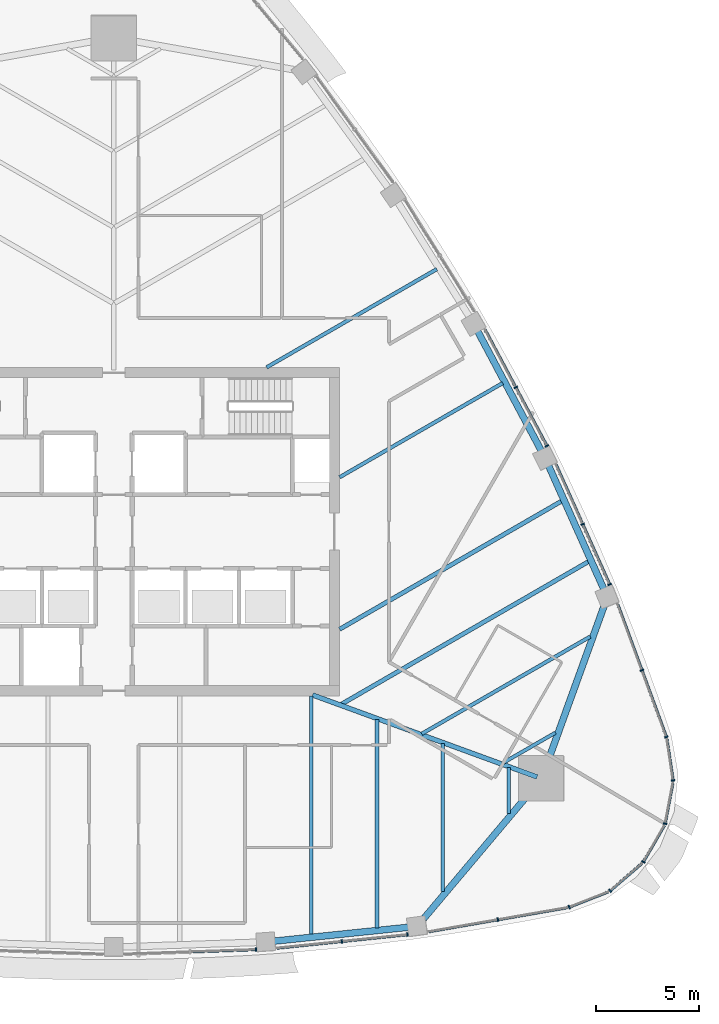
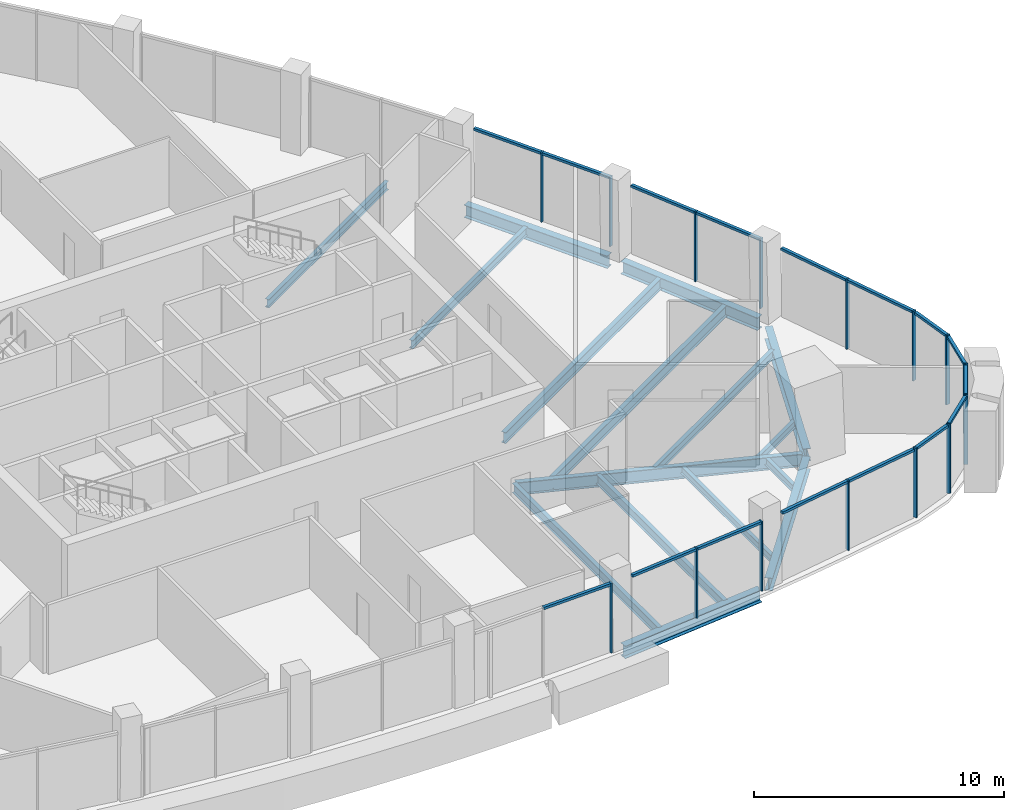
# One storey, part 4 of 15: 31 members, 16 beams, 11 elements without a shape of their own.
"""IFC4 building model written with IfcOpenShell, lengths in metres."""

from ifc_helpers import new_model, si_unit, direction, frame, origin, origin_2d, place, context, subcontext, project, spatial, rectangle, i_section, extrude, material, layer, layer_set, material_profile, profile_set, type_object, element, aggregate, save


model = new_model("IFC4")

# Units and contexts
model_context = context("Model", 3, precision=1e-05, world=origin(), true_north=direction((0.0, 1.0)))
body_context = subcontext(model_context, "Body", "Model", "MODEL_VIEW")
ifc_project = project(units=[si_unit("LENGTHUNIT", "METRE"), si_unit("AREAUNIT", "SQUARE_METRE"), si_unit("VOLUMEUNIT", "CUBIC_METRE"), si_unit("PLANEANGLEUNIT", "RADIAN"), si_unit("MASSUNIT", "GRAM", prefix="KILO")], contexts=[model_context])

# Site, building, storey
site_placement = place(None, origin())
site = spatial("IfcSite", under=ifc_project, at=site_placement, CompositionType="ELEMENT")
building_placement = place(site_placement, origin())
building = spatial("IfcBuilding", under=site, at=building_placement, Name="Sierra Prisma Convention Tower", CompositionType="ELEMENT")
storey_placement = place(building_placement, frame((0.0, 0.0, 283.0)))
storey = spatial("IfcBuildingStorey", under=building, at=storey_placement, Name="L64", CompositionType="ELEMENT", Elevation=283.0)

# Curtain wall, member
ifc_material_1 = material(Name="Aluminium and glass curtain wall", Category="aluminium")
ifc_layer = layer(ifc_material_1, 0.179931640625)
ifc_layer_set = layer_set([ifc_layer], Name="CW-1 Plain shaft curtain wall")
curtain_wall_type = type_object("IfcCurtainWallType", Name="CW-1 Plain shaft curtain wall", PredefinedType="NOTDEFINED", material=ifc_layer_set)
curtain_wall_1_placement = place(storey_placement, origin())
curtain_wall_1 = element("IfcCurtainWall", 1, at=curtain_wall_1_placement, inside=storey, type_object=curtain_wall_type, Name="CW-1 S4 L64", PredefinedType="NOTDEFINED")
ifc_material_2 = material(Name="Aluminium 6063-T6 bronze anodised", Category="aluminium")
ifc_material_profile_1 = material_profile(ifc_material_2, rectangle(XDim=0.179931640625, YDim=0.070068359375, at=origin_2d()), Name="ALU MULLION 70x180")
ifc_profile_set_1 = profile_set([ifc_material_profile_1], Name="Aluminium 6063-T6 bronze anodised")
member_type_1 = type_object("IfcMemberType", Name="CW mullion bronze", PredefinedType="MULLION", material=ifc_profile_set_1)
member_1_placement = place(storey_placement, frame((6.935302734375, -20.360107421875, 0.0), z_axis=(0.0, 0.0, 1.0), x_axis=(-0.034364022311, 0.999409382571, 0.0)))
member_1 = element("IfcMember", 2, at=member_1_placement, type_object=member_type_1, Name="CW-1 mullion S4.3", PredefinedType="MULLION", context=body_context, shape_type="SweptSolid", body=[
    extrude(rectangle(XDim=0.179931640625, YDim=0.070068359375, at=origin_2d()), origin(), (0.0, 0.0, 1.0), 3.39990234375),
])

# Curtain wall, members
curtain_wall_2_placement = place(storey_placement, origin())
curtain_wall_2 = element("IfcCurtainWall", 3, at=curtain_wall_2_placement, inside=storey, type_object=curtain_wall_type, Name="CW-1 S5 L64", PredefinedType="NOTDEFINED")
member_2_placement = place(storey_placement, frame((11.10888671875, -19.962646484375, 0.0), z_axis=(0.0, 0.0, 1.0), x_axis=(-0.102929746941, 0.994688628262, 0.0)))
member_2 = element("IfcMember", 4, at=member_2_placement, type_object=member_type_1, Name="CW-1 mullion S5.2", PredefinedType="MULLION", context=body_context, shape_type="SweptSolid", body=[
    extrude(rectangle(XDim=0.179931640625, YDim=0.070068359375, at=origin_2d()), origin(), (0.0, 0.0, 1.0), 3.39990234375),
])
member_3_placement = place(storey_placement, frame((14.30322265625, -19.632080078125, 0.0), z_axis=(0.0, 0.0, 1.0), x_axis=(-0.102929746941, 0.994688628262, 0.0)))
member_3 = element("IfcMember", 5, at=member_3_placement, type_object=member_type_1, Name="CW-1 mullion S5.3", PredefinedType="MULLION", context=body_context, shape_type="SweptSolid", body=[
    extrude(rectangle(XDim=0.179931640625, YDim=0.070068359375, at=origin_2d()), origin(), (0.0, 0.0, 1.0), 3.39990234375),
])

# Curtain wall, member
curtain_wall_3_placement = place(storey_placement, origin())
curtain_wall_3 = element("IfcCurtainWall", 6, at=curtain_wall_3_placement, inside=storey, type_object=curtain_wall_type, Name="CW-1 S6 L64", PredefinedType="NOTDEFINED")
member_4_placement = place(storey_placement, frame((18.71435546875, -18.9033203125, 0.0), z_axis=(0.0, 0.0, 1.0), x_axis=(-0.171009278371, 0.985269418337, 0.0)))
member_4 = element("IfcMember", 7, at=member_4_placement, type_object=member_type_1, Name="CW-1 mullion S6.2", PredefinedType="MULLION", context=body_context, shape_type="SweptSolid", body=[
    extrude(rectangle(XDim=0.179931640625, YDim=0.070068359375, at=origin_2d()), origin(), (0.0, 0.0, 1.0), 3.39990234375),
])

curtain_wall_4_placement = place(storey_placement, origin())
curtain_wall_4 = element("IfcCurtainWall", 8, at=curtain_wall_4_placement, inside=storey, type_object=curtain_wall_type, Name="CW-1 SE1 L64", PredefinedType="NOTDEFINED")
member_5_placement = place(storey_placement, frame((22.18896484375, -18.29296875, 0.0), z_axis=(0.0, 0.0, 1.0), x_axis=(-0.365732120249, 0.930720159994, 0.0)))
member_5 = element("IfcMember", 9, at=member_5_placement, type_object=member_type_1, Name="CW-1 mullion SE1.1", PredefinedType="MULLION", context=body_context, shape_type="SweptSolid", body=[
    extrude(rectangle(XDim=0.179931640625, YDim=0.070068359375, at=origin_2d()), origin(), (0.0, 0.0, 1.0), 3.39990234375),
])

curtain_wall_5_placement = place(storey_placement, origin())
curtain_wall_5 = element("IfcCurtainWall", 10, at=curtain_wall_5_placement, inside=storey, type_object=curtain_wall_type, Name="CW-1 SE2 L64", PredefinedType="NOTDEFINED")
member_6_placement = place(storey_placement, frame((24.179443359375, -17.49853515625, 0.0), z_axis=(0.0, 0.0, 1.0), x_axis=(-0.652446636561, 0.757834669595, 0.0)))
member_6 = element("IfcMember", 11, at=member_6_placement, type_object=member_type_1, Name="CW-1 mullion SE2.1", PredefinedType="MULLION", context=body_context, shape_type="SweptSolid", body=[
    extrude(rectangle(XDim=0.179931640625, YDim=0.070068359375, at=origin_2d()), origin(), (0.0, 0.0, 1.0), 3.39990234375),
])

curtain_wall_6_placement = place(storey_placement, origin())
curtain_wall_6 = element("IfcCurtainWall", 12, at=curtain_wall_6_placement, inside=storey, type_object=curtain_wall_type, Name="CW-1 SE3 L64", PredefinedType="NOTDEFINED")
member_7_placement = place(storey_placement, frame((25.7958984375, -16.09130859375, 0.0), z_axis=(0.0, 0.0, 1.0), x_axis=(-0.866025403784, 0.5, 0.0)))
member_7 = element("IfcMember", 13, at=member_7_placement, type_object=member_type_1, Name="CW-1 mullion SE3.1", PredefinedType="MULLION", context=body_context, shape_type="SweptSolid", body=[
    extrude(rectangle(XDim=0.179931640625, YDim=0.070068359375, at=origin_2d()), origin(), (0.0, 0.0, 1.0), 3.39990234375),
])

curtain_wall_7_placement = place(storey_placement, origin())
curtain_wall_7 = element("IfcCurtainWall", 14, at=curtain_wall_7_placement, inside=storey, type_object=curtain_wall_type, Name="CW-1 SE4 L64", PredefinedType="NOTDEFINED")
member_8_placement = place(storey_placement, frame((26.857666015625, -14.2294921875, 0.0), z_axis=(0.0, 0.0, 1.0), x_axis=(-0.982527394019, 0.186118027077, 0.0)))
member_8 = element("IfcMember", 15, at=member_8_placement, type_object=member_type_1, Name="CW-1 mullion SE4.1", PredefinedType="MULLION", context=body_context, shape_type="SweptSolid", body=[
    extrude(rectangle(XDim=0.179931640625, YDim=0.070068359375, at=origin_2d()), origin(), (0.0, 0.0, 1.0), 3.39990234375),
])

curtain_wall_8_placement = place(storey_placement, origin())
curtain_wall_8 = element("IfcCurtainWall", 16, at=curtain_wall_8_placement, inside=storey, type_object=curtain_wall_type, Name="CW-1 SE5 L64", PredefinedType="NOTDEFINED")
member_9_placement = place(storey_placement, frame((27.2451171875, -12.12158203125, 0.0), z_axis=(0.0, 0.0, 1.0), x_axis=(-0.988893362493, -0.148626772882, 0.0)))
member_9 = element("IfcMember", 17, at=member_9_placement, type_object=member_type_1, Name="CW-1 mullion SE5.1", PredefinedType="MULLION", context=body_context, shape_type="SweptSolid", body=[
    extrude(rectangle(XDim=0.179931640625, YDim=0.070068359375, at=origin_2d()), origin(), (0.0, 0.0, 1.0), 3.39990234375),
])

# Curtain wall, members
curtain_wall_9_placement = place(storey_placement, origin())
curtain_wall_9 = element("IfcCurtainWall", 18, at=curtain_wall_9_placement, inside=storey, type_object=curtain_wall_type, Name="CW-1 NE1 L64", PredefinedType="NOTDEFINED")
member_10_placement = place(storey_placement, frame((26.91943359375, -10.002197265625, 0.0), z_axis=(0.0, 0.0, 1.0), x_axis=(-0.938772985038, -0.344536329817, 0.0)))
member_10 = element("IfcMember", 19, at=member_10_placement, type_object=member_type_1, Name="CW-1 mullion NE1.1", PredefinedType="MULLION", context=body_context, shape_type="SweptSolid", body=[
    extrude(rectangle(XDim=0.179931640625, YDim=0.070068359375, at=origin_2d()), origin(), (0.0, 0.0, 1.0), 3.39990234375),
])
member_11_placement = place(storey_placement, frame((25.72802734375, -6.755615234375, 0.0), z_axis=(0.0, 0.0, 1.0), x_axis=(-0.938772985038, -0.344536329817, 0.0)))
member_11 = element("IfcMember", 20, at=member_11_placement, type_object=member_type_1, Name="CW-1 mullion NE1.2", PredefinedType="MULLION", context=body_context, shape_type="SweptSolid", body=[
    extrude(rectangle(XDim=0.179931640625, YDim=0.070068359375, at=origin_2d()), origin(), (0.0, 0.0, 1.0), 3.39990234375),
])

curtain_wall_10_placement = place(storey_placement, origin())
curtain_wall_10 = element("IfcCurtainWall", 21, at=curtain_wall_10_placement, inside=storey, type_object=curtain_wall_type, Name="CW-1 NE2 L64", PredefinedType="NOTDEFINED")
member_12_placement = place(storey_placement, frame((24.153564453125, -2.5712890625, 0.0), z_axis=(0.0, 0.0, 1.0), x_axis=(-0.912890494401, -0.408204538475, 0.0)))
member_12 = element("IfcMember", 22, at=member_12_placement, type_object=member_type_1, Name="CW-1 mullion NE2.1", PredefinedType="MULLION", context=body_context, shape_type="SweptSolid", body=[
    extrude(rectangle(XDim=0.179931640625, YDim=0.070068359375, at=origin_2d()), origin(), (0.0, 0.0, 1.0), 3.39990234375),
])
member_13_placement = place(storey_placement, frame((22.842529296875, 0.360595703125, 0.0), z_axis=(0.0, 0.0, 1.0), x_axis=(-0.912890494401, -0.408204538475, 0.0)))
member_13 = element("IfcMember", 23, at=member_13_placement, type_object=member_type_1, Name="CW-1 mullion NE2.2", PredefinedType="MULLION", context=body_context, shape_type="SweptSolid", body=[
    extrude(rectangle(XDim=0.179931640625, YDim=0.070068359375, at=origin_2d()), origin(), (0.0, 0.0, 1.0), 3.39990234375),
])

curtain_wall_11_placement = place(storey_placement, origin())
curtain_wall_11 = element("IfcCurtainWall", 24, at=curtain_wall_11_placement, inside=storey, type_object=curtain_wall_type, Name="CW-1 NE3 L64", PredefinedType="NOTDEFINED")
member_14_placement = place(storey_placement, frame((21.10009765625, 4.173828125, 0.0), z_axis=(0.0, 0.0, 1.0), x_axis=(-0.882695925243, -0.469944574988, 0.0)))
member_14 = element("IfcMember", 25, at=member_14_placement, type_object=member_type_1, Name="CW-1 mullion NE3.1", PredefinedType="MULLION", context=body_context, shape_type="SweptSolid", body=[
    extrude(rectangle(XDim=0.179931640625, YDim=0.070068359375, at=origin_2d()), origin(), (0.0, 0.0, 1.0), 3.39990234375),
])
member_15_placement = place(storey_placement, frame((19.58349609375, 7.0224609375, 0.0), z_axis=(0.0, 0.0, 1.0), x_axis=(-0.882695925243, -0.469944574988, 0.0)))
member_15 = element("IfcMember", 26, at=member_15_placement, type_object=member_type_1, Name="CW-1 mullion NE3.2", PredefinedType="MULLION", context=body_context, shape_type="SweptSolid", body=[
    extrude(rectangle(XDim=0.179931640625, YDim=0.070068359375, at=origin_2d()), origin(), (0.0, 0.0, 1.0), 3.39990234375),
])

# Member
ifc_material_3 = material(Name="Aluminium 6063-T6 bronze anodised", Category="aluminium")
ifc_material_profile_2 = material_profile(ifc_material_3, rectangle(XDim=0.139892578125, YDim=0.1201171875, at=origin_2d()), Name="ALU TRANSOM 120x140")
ifc_profile_set_2 = profile_set([ifc_material_profile_2], Name="Aluminium 6063-T6 bronze anodised")
member_type_2 = type_object("IfcMemberType", Name="CW transom bronze", PredefinedType="USERDEFINED", material=ifc_profile_set_2)
member_16_placement = place(storey_placement, frame((3.744873046875, -20.4697265625, 3.340087890625), z_axis=(0.999410490677, 0.034331780105, 0.0), x_axis=(-0.034331780105, 0.999410490677, 0.0)))
member_16 = element("IfcMember", 27, at=member_16_placement, type_object=member_type_2, Name="CW-1 transom S4.2", ObjectType="TRANSOM", PredefinedType="USERDEFINED", context=body_context, shape_type="SweptSolid", body=[
    extrude(rectangle(XDim=0.139892578125, YDim=0.1201171875, at=origin_2d()), origin(), (0.0, 0.0, 1.0), 3.157470703125),
])

aggregate(curtain_wall_1, [member_1, member_16])

member_17_placement = place(storey_placement, frame((7.949462890625, -20.28955078125, 3.340087890625), z_axis=(0.994684110909, 0.102973392215, 0.0), x_axis=(-0.102973392215, 0.994684110909, 0.0)))
member_17 = element("IfcMember", 28, at=member_17_placement, type_object=member_type_2, Name="CW-1 transom S5.1", ObjectType="TRANSOM", PredefinedType="USERDEFINED", context=body_context, shape_type="SweptSolid", body=[
    extrude(rectangle(XDim=0.139892578125, YDim=0.1201171875, at=origin_2d()), origin(), (0.0, 0.0, 1.0), 3.141357421875),
])

member_18_placement = place(storey_placement, frame((11.143798828125, -19.958984375, 3.340087890625), z_axis=(0.994683286753, 0.102981352942, 0.0), x_axis=(-0.102981352942, 0.994683286753, 0.0)))
member_18 = element("IfcMember", 29, at=member_18_placement, type_object=member_type_2, Name="CW-1 transom S5.2", ObjectType="TRANSOM", PredefinedType="USERDEFINED", context=body_context, shape_type="SweptSolid", body=[
    extrude(rectangle(XDim=0.139892578125, YDim=0.1201171875, at=origin_2d()), origin(), (0.0, 0.0, 1.0), 3.14111328125),
])

aggregate(curtain_wall_2, [member_2, member_3, member_17, member_18])

member_19_placement = place(storey_placement, frame((15.341552734375, -19.48876953125, 3.340087890625), z_axis=(0.985261423754, 0.171055332748, 0.0), x_axis=(-0.171055332748, 0.985261423754, 0.0)))
member_19 = element("IfcMember", 30, at=member_19_placement, type_object=member_type_2, Name="CW-1 transom S6.1", ObjectType="TRANSOM", PredefinedType="USERDEFINED", context=body_context, shape_type="SweptSolid", body=[
    extrude(rectangle(XDim=0.139892578125, YDim=0.1201171875, at=origin_2d()), origin(), (0.0, 0.0, 1.0), 3.388427734375),
])

member_20_placement = place(storey_placement, frame((18.7490234375, -18.897216796875, 3.340087890625), z_axis=(0.985273564925, 0.170985386103, 0.0), x_axis=(-0.170985386103, 0.985273564925, 0.0)))
member_20 = element("IfcMember", 31, at=member_20_placement, type_object=member_type_2, Name="CW-1 transom S6.2", ObjectType="TRANSOM", PredefinedType="USERDEFINED", context=body_context, shape_type="SweptSolid", body=[
    extrude(rectangle(XDim=0.139892578125, YDim=0.1201171875, at=origin_2d()), origin(), (0.0, 0.0, 1.0), 3.38818359375),
])

aggregate(curtain_wall_3, [member_4, member_19, member_20])

member_21_placement = place(storey_placement, frame((22.221435546875, -18.2802734375, 3.340087890625), z_axis=(0.930710049743, 0.36575784791, 0.0), x_axis=(-0.36575784791, 0.930710049743, 0.0)))
member_21 = element("IfcMember", 32, at=member_21_placement, type_object=member_type_2, Name="CW-1 transom SE1.1", ObjectType="TRANSOM", PredefinedType="USERDEFINED", context=body_context, shape_type="SweptSolid", body=[
    extrude(rectangle(XDim=0.139892578125, YDim=0.1201171875, at=origin_2d()), origin(), (0.0, 0.0, 1.0), 2.005126953125),
])

aggregate(curtain_wall_4, [member_5, member_21])

member_22_placement = place(storey_placement, frame((24.205810546875, -17.4755859375, 3.340087890625), z_axis=(0.757862451273, 0.65241436599, 0.0), x_axis=(-0.65241436599, 0.757862451273, 0.0)))
member_22 = element("IfcMember", 33, at=member_22_placement, type_object=member_type_2, Name="CW-1 transom SE2.1", ObjectType="TRANSOM", PredefinedType="USERDEFINED", context=body_context, shape_type="SweptSolid", body=[
    extrude(rectangle(XDim=0.139892578125, YDim=0.1201171875, at=origin_2d()), origin(), (0.0, 0.0, 1.0), 2.005126953125),
])

aggregate(curtain_wall_5, [member_6, member_22])

member_23_placement = place(storey_placement, frame((25.8134765625, -16.06103515625, 3.340087890625), z_axis=(0.500028081597, 0.86600919026, 0.0), x_axis=(-0.86600919026, 0.500028081597, 0.0)))
member_23 = element("IfcMember", 34, at=member_23_placement, type_object=member_type_2, Name="CW-1 transom SE3.1", ObjectType="TRANSOM", PredefinedType="USERDEFINED", context=body_context, shape_type="SweptSolid", body=[
    extrude(rectangle(XDim=0.139892578125, YDim=0.1201171875, at=origin_2d()), origin(), (0.0, 0.0, 1.0), 2.00537109375),
])

aggregate(curtain_wall_6, [member_7, member_23])

member_24_placement = place(storey_placement, frame((26.864013671875, -14.195068359375, 3.340087890625), z_axis=(0.186177608827, 0.982516105706, 0.0), x_axis=(-0.982516105706, 0.186177608827, 0.0)))
member_24 = element("IfcMember", 35, at=member_24_placement, type_object=member_type_2, Name="CW-1 transom SE4.1", ObjectType="TRANSOM", PredefinedType="USERDEFINED", context=body_context, shape_type="SweptSolid", body=[
    extrude(rectangle(XDim=0.139892578125, YDim=0.1201171875, at=origin_2d()), origin(), (0.0, 0.0, 1.0), 2.005126953125),
])

aggregate(curtain_wall_7, [member_8, member_24])

member_25_placement = place(storey_placement, frame((27.239990234375, -12.087158203125, 3.340087890625), z_axis=(-0.148661947775, 0.988888075206, 0.0), x_axis=(-0.988888075206, -0.148661947775, 0.0)))
member_25 = element("IfcMember", 36, at=member_25_placement, type_object=member_type_2, Name="CW-1 transom SE5.1", ObjectType="TRANSOM", PredefinedType="USERDEFINED", context=body_context, shape_type="SweptSolid", body=[
    extrude(rectangle(XDim=0.139892578125, YDim=0.1201171875, at=origin_2d()), origin(), (0.0, 0.0, 1.0), 2.005126953125),
])

aggregate(curtain_wall_8, [member_9, member_25])

member_26_placement = place(storey_placement, frame((26.907470703125, -9.96923828125, 3.340087890625), z_axis=(-0.344553143398, 0.938766814164, 0.0), x_axis=(-0.938766814164, -0.344553143398, 0.0)))
member_26 = element("IfcMember", 37, at=member_26_placement, type_object=member_type_2, Name="CW-1 transom NE1.1", ObjectType="TRANSOM", PredefinedType="USERDEFINED", context=body_context, shape_type="SweptSolid", body=[
    extrude(rectangle(XDim=0.139892578125, YDim=0.1201171875, at=origin_2d()), origin(), (0.0, 0.0, 1.0), 3.388427734375),
])

member_27_placement = place(storey_placement, frame((25.7158203125, -6.72265625, 3.340087890625), z_axis=(-0.344512946681, 0.938781566484, 0.0), x_axis=(-0.938781566484, -0.344512946681, 0.0)))
member_27 = element("IfcMember", 38, at=member_27_placement, type_object=member_type_2, Name="CW-1 transom NE1.2", ObjectType="TRANSOM", PredefinedType="USERDEFINED", context=body_context, shape_type="SweptSolid", body=[
    extrude(rectangle(XDim=0.139892578125, YDim=0.1201171875, at=origin_2d()), origin(), (0.0, 0.0, 1.0), 3.38818359375),
])

aggregate(curtain_wall_9, [member_10, member_11, member_26, member_27])

member_28_placement = place(storey_placement, frame((24.13916015625, -2.539306640625, 3.340087890625), z_axis=(-0.408156448901, 0.912911996427, 0.0), x_axis=(-0.912911996427, -0.408156448901, 0.0)))
member_28 = element("IfcMember", 39, at=member_28_placement, type_object=member_type_2, Name="CW-1 transom NE2.1", ObjectType="TRANSOM", PredefinedType="USERDEFINED", context=body_context, shape_type="SweptSolid", body=[
    extrude(rectangle(XDim=0.139892578125, YDim=0.1201171875, at=origin_2d()), origin(), (0.0, 0.0, 1.0), 3.1416015625),
])

member_29_placement = place(storey_placement, frame((22.828369140625, 0.392578125, 3.340087890625), z_axis=(-0.408250175583, 0.912870086122, 0.0), x_axis=(-0.912870086122, -0.408250175583, 0.0)))
member_29 = element("IfcMember", 40, at=member_29_placement, type_object=member_type_2, Name="CW-1 transom NE2.2", ObjectType="TRANSOM", PredefinedType="USERDEFINED", context=body_context, shape_type="SweptSolid", body=[
    extrude(rectangle(XDim=0.139892578125, YDim=0.1201171875, at=origin_2d()), origin(), (0.0, 0.0, 1.0), 3.141357421875),
])

aggregate(curtain_wall_10, [member_12, member_13, member_28, member_29])

member_30_placement = place(storey_placement, frame((21.083740234375, 4.20458984375, 3.340087890625), z_axis=(-0.46998610842, 0.882673811717, 0.0), x_axis=(-0.882673811717, -0.46998610842, 0.0)))
member_30 = element("IfcMember", 41, at=member_30_placement, type_object=member_type_2, Name="CW-1 transom NE3.1", ObjectType="TRANSOM", PredefinedType="USERDEFINED", context=body_context, shape_type="SweptSolid", body=[
    extrude(rectangle(XDim=0.139892578125, YDim=0.1201171875, at=origin_2d()), origin(), (0.0, 0.0, 1.0), 3.1572265625),
])

member_31_placement = place(storey_placement, frame((19.56689453125, 7.053466796875, 3.340087890625), z_axis=(-0.469925859609, 0.882705888997, 0.0), x_axis=(-0.882705888997, -0.469925859609, 0.0)))
member_31 = element("IfcMember", 42, at=member_31_placement, type_object=member_type_2, Name="CW-1 transom NE3.2", ObjectType="TRANSOM", PredefinedType="USERDEFINED", context=body_context, shape_type="SweptSolid", body=[
    extrude(rectangle(XDim=0.139892578125, YDim=0.1201171875, at=origin_2d()), origin(), (0.0, 0.0, 1.0), 3.1572265625),
])

aggregate(curtain_wall_11, [member_14, member_15, member_30, member_31])

# Beams
ifc_material_4 = material(Name="Steel ASTM A992 Gr 50", Category="steel")
ifc_material_profile_3 = material_profile(ifc_material_4, i_section(OverallWidth=0.172119140625, OverallDepth=0.35791015625, WebThickness=0.0078125, FlangeThickness=0.01318359375, at=origin_2d()), Name="W360x57")
ifc_profile_set_3 = profile_set([ifc_material_profile_3], Name="Steel ASTM A992 Gr 50")
beam_type_1 = type_object("IfcBeamType", Name="Floor joist W360x57", PredefinedType="JOIST", material=ifc_profile_set_3)
beam_1_placement = place(storey_placement, frame((16.0341796875, -17.541748046875, -0.3291015625), z_axis=(0.0, 1.0, 0.0), x_axis=(-1.0, 0.0, 0.0)))
element("IfcBeam", 43, at=beam_1_placement, inside=storey, type_object=beam_type_1, Name="Floor joist L64 S12", PredefinedType="JOIST", context=body_context, shape_type="SweptSolid", body=[
    extrude(i_section(OverallWidth=0.172119140625, OverallDepth=0.35791015625, WebThickness=0.0078125, FlangeThickness=0.01318359375, at=origin_2d()), origin(), (0.0, 0.0, 1.0), 7.215576171875),
])
beam_2_placement = place(storey_placement, frame((19.240966796875, -13.7353515625, -0.3291015625), z_axis=(0.0, 1.0, 0.0), x_axis=(-1.0, 0.0, 0.0)))
element("IfcBeam", 44, at=beam_2_placement, inside=storey, type_object=beam_type_1, Name="Floor joist L64 S13", PredefinedType="JOIST", context=body_context, shape_type="SweptSolid", body=[
    extrude(i_section(OverallWidth=0.172119140625, OverallDepth=0.35791015625, WebThickness=0.0078125, FlangeThickness=0.01318359375, at=origin_2d()), origin(), (0.0, 0.0, 1.0), 2.237548828125),
])
beam_3_placement = place(storey_placement, frame((21.515625, -9.79541015625, -0.3291015625), z_axis=(-0.866008413041, -0.500029427677, 0.0), x_axis=(0.500029427677, -0.866008413041, 0.0)))
element("IfcBeam", 45, at=beam_3_placement, inside=storey, type_object=beam_type_1, Name="Floor joist L64 NE01", PredefinedType="JOIST", context=body_context, shape_type="SweptSolid", body=[
    extrude(i_section(OverallWidth=0.172119140625, OverallDepth=0.35791015625, WebThickness=0.0078125, FlangeThickness=0.01318359375, at=origin_2d()), origin(), (0.0, 0.0, 1.0), 2.983154296875),
])
ifc_material_5 = material(Name="Steel ASTM A992 Gr 50", Category="steel")
ifc_material_profile_4 = material_profile(ifc_material_5, i_section(OverallWidth=0.177978515625, OverallDepth=0.406982421875, WebThickness=0.0078125, FlangeThickness=0.0126953125, at=origin_2d()), Name="W410x60")
ifc_profile_set_4 = profile_set([ifc_material_profile_4], Name="Steel ASTM A992 Gr 50")
beam_type_2 = type_object("IfcBeamType", Name="Floor joist W410x60", PredefinedType="JOIST", material=ifc_profile_set_4)
beam_4_placement = place(storey_placement, frame((23.20849609375, -5.114990234375, -0.353515625), z_axis=(-0.8660190784, -0.500010955728, 0.0), x_axis=(0.500010955728, -0.8660190784, 0.0)))
element("IfcBeam", 46, at=beam_4_placement, inside=storey, type_object=beam_type_2, Name="Floor joist L64 NE02", PredefinedType="JOIST", context=body_context, shape_type="SweptSolid", body=[
    extrude(i_section(OverallWidth=0.177978515625, OverallDepth=0.406982421875, WebThickness=0.0078125, FlangeThickness=0.0126953125, at=origin_2d()), origin(), (0.0, 0.0, 1.0), 9.473876953125),
])
beam_5_placement = place(storey_placement, frame((18.9462890625, 7.235595703125, -0.353515625), z_axis=(-0.866032277009, -0.499988095037, 0.0), x_axis=(0.499988095037, -0.866032277009, 0.0)))
element("IfcBeam", 47, at=beam_5_placement, inside=storey, type_object=beam_type_2, Name="Floor joist L64 NE06", PredefinedType="JOIST", context=body_context, shape_type="SweptSolid", body=[
    extrude(i_section(OverallWidth=0.177978515625, OverallDepth=0.406982421875, WebThickness=0.0078125, FlangeThickness=0.0126953125, at=origin_2d()), origin(), (0.0, 0.0, 1.0), 9.175537109375),
])
beam_6_placement = place(storey_placement, frame((15.739501953125, 12.7900390625, -0.353515625), z_axis=(-0.866026443251, -0.499998199587, 0.0), x_axis=(0.499998199587, -0.866026443251, 0.0)))
element("IfcBeam", 48, at=beam_6_placement, inside=storey, type_object=beam_type_2, Name="Floor joist L64 NE08", PredefinedType="JOIST", context=body_context, shape_type="SweptSolid", body=[
    extrude(i_section(OverallWidth=0.177978515625, OverallDepth=0.406982421875, WebThickness=0.0078125, FlangeThickness=0.0126953125, at=origin_2d()), origin(), (0.0, 0.0, 1.0), 9.580078125),
])
ifc_material_6 = material(Name="Steel ASTM A992 Gr 50", Category="steel")
ifc_material_profile_5 = material_profile(ifc_material_6, i_section(OverallWidth=0.18994140625, OverallDepth=0.45703125, WebThickness=0.009033203125, FlangeThickness=0.014404296875, at=origin_2d()), Name="W460x74")
ifc_profile_set_5 = profile_set([ifc_material_profile_5], Name="Steel ASTM A992 Gr 50")
beam_type_3 = type_object("IfcBeamType", Name="Floor joist W460x74", PredefinedType="JOIST", material=ifc_profile_set_5)
beam_7_placement = place(storey_placement, frame((9.620361328125, -19.651611328125, -0.37841796875), z_axis=(0.0, 1.0, 0.0), x_axis=(-1.0, 0.0, 0.0)))
element("IfcBeam", 49, at=beam_7_placement, inside=storey, type_object=beam_type_3, Name="Floor joist L64 S10", PredefinedType="JOIST", context=body_context, shape_type="SweptSolid", body=[
    extrude(i_section(OverallWidth=0.18994140625, OverallDepth=0.45703125, WebThickness=0.009033203125, FlangeThickness=0.014404296875, at=origin_2d()), origin(), (0.0, 0.0, 1.0), 11.651611328125),
])
beam_8_placement = place(storey_placement, frame((12.827392578125, -19.31982421875, -0.37841796875), z_axis=(0.0, 1.0, 0.0), x_axis=(-1.0, 0.0, 0.0)))
element("IfcBeam", 50, at=beam_8_placement, inside=storey, type_object=beam_type_3, Name="Floor joist L64 S11", PredefinedType="JOIST", context=body_context, shape_type="SweptSolid", body=[
    extrude(i_section(OverallWidth=0.18994140625, OverallDepth=0.45703125, WebThickness=0.009033203125, FlangeThickness=0.014404296875, at=origin_2d()), origin(), (0.0, 0.0, 1.0), 10.1650390625),
])
ifc_material_7 = material(Name="Steel ASTM A992 Gr 50", Category="steel")
ifc_material_profile_6 = material_profile(ifc_material_7, i_section(OverallWidth=0.208984375, OverallDepth=0.532958984375, WebThickness=0.01025390625, FlangeThickness=0.015625, at=origin_2d()), Name="W530x92")
ifc_profile_set_6 = profile_set([ifc_material_profile_6], Name="Steel ASTM A992 Gr 50")
beam_type_4 = type_object("IfcBeamType", Name="Floor joist W530x92", PredefinedType="JOIST", material=ifc_profile_set_6)
beam_9_placement = place(storey_placement, frame((23.14501953125, -1.448974609375, -0.41650390625), z_axis=(-0.86603213904, -0.499988334014, 0.0), x_axis=(0.499988334014, -0.86603213904, 0.0)))
element("IfcBeam", 51, at=beam_9_placement, inside=storey, type_object=beam_type_4, Name="Floor joist L64 NE03", PredefinedType="JOIST", context=body_context, shape_type="SweptSolid", body=[
    extrude(i_section(OverallWidth=0.208984375, OverallDepth=0.532958984375, WebThickness=0.01025390625, FlangeThickness=0.015625, at=origin_2d()), origin(), (0.0, 0.0, 1.0), 13.936279296875),
])
beam_10_placement = place(storey_placement, frame((21.828857421875, 1.494140625, -0.41650390625), z_axis=(-0.866028542009, -0.499994564396, 0.0), x_axis=(0.499994564396, -0.866028542009, 0.0)))
element("IfcBeam", 52, at=beam_10_placement, inside=storey, type_object=beam_type_4, Name="Floor joist L64 NE04", PredefinedType="JOIST", context=body_context, shape_type="SweptSolid", body=[
    extrude(i_section(OverallWidth=0.208984375, OverallDepth=0.532958984375, WebThickness=0.01025390625, FlangeThickness=0.015625, at=origin_2d()), origin(), (0.0, 0.0, 1.0), 12.504150390625),
])
ifc_material_8 = material(Name="Steel ASTM A992 Gr 50", Category="steel")
ifc_material_profile_7 = material_profile(ifc_material_8, i_section(OverallWidth=0.22998046875, OverallDepth=0.616943359375, WebThickness=0.01318359375, FlangeThickness=0.022216796875, at=origin_2d()), Name="W610x140")
ifc_profile_set_7 = profile_set([ifc_material_profile_7], Name="Steel ASTM A992 Gr 50")
beam_type_5 = type_object("IfcBeamType", Name="Radial girder W610x140", PredefinedType="BEAM", material=ifc_profile_set_7)
beam_11_placement = place(storey_placement, frame((20.624267578125, -11.9541015625, -0.45849609375), z_axis=(-0.939288577212, 0.343128210323, 0.0), x_axis=(-0.343128210323, -0.939288577212, 0.0)))
element("IfcBeam", 53, at=beam_11_placement, inside=storey, type_object=beam_type_5, Name="Radial girder L64 SE", PredefinedType="BEAM", context=body_context, shape_type="SweptSolid", body=[
    extrude(i_section(OverallWidth=0.22998046875, OverallDepth=0.616943359375, WebThickness=0.01318359375, FlangeThickness=0.022216796875, at=origin_2d()), origin(), (0.0, 0.0, 1.0), 11.64404296875),
])
ifc_material_9 = material(Name="Steel ASTM A992 Gr 50", Category="steel")
ifc_material_profile_8 = material_profile(ifc_material_9, i_section(OverallWidth=0.324951171875, OverallDepth=0.615966796875, WebThickness=0.013916015625, FlangeThickness=0.021484375, at=origin_2d()), Name="W610x174")
ifc_profile_set_8 = profile_set([ifc_material_profile_8], Name="Steel ASTM A992 Gr 50")
beam_type_6 = type_object("IfcBeamType", Name="Spandrel beam W610x174", PredefinedType="BEAM", material=ifc_profile_set_8)
beam_12_placement = place(storey_placement, frame((7.736572265625, -19.959716796875, -0.4580078125), z_axis=(0.994691283356, 0.102904085512, 0.0), x_axis=(-0.102904085512, 0.994691283356, 0.0)))
element("IfcBeam", 54, at=beam_12_placement, inside=storey, type_object=beam_type_6, Name="Spandrel L64-05", PredefinedType="BEAM", context=body_context, shape_type="SweptSolid", body=[
    extrude(i_section(OverallWidth=0.324951171875, OverallDepth=0.615966796875, WebThickness=0.013916015625, FlangeThickness=0.021484375, at=origin_2d()), origin(), (0.0, 0.0, 1.0), 6.752197265625),
])
beam_13_placement = place(storey_placement, frame((15.09423828125, -18.859619140625, -0.4580078125), z_axis=(0.644298509187, 0.764774104595, 0.0), x_axis=(-0.764774104595, 0.644298509187, 0.0)))
element("IfcBeam", 55, at=beam_13_placement, inside=storey, type_object=beam_type_6, Name="Spandrel L64-06", PredefinedType="BEAM", context=body_context, shape_type="SweptSolid", body=[
    extrude(i_section(OverallWidth=0.324951171875, OverallDepth=0.615966796875, WebThickness=0.013916015625, FlangeThickness=0.021484375, at=origin_2d()), origin(), (0.0, 0.0, 1.0), 8.63671875),
])
beam_14_placement = place(storey_placement, frame((20.923828125, -11.814453125, -0.4580078125), z_axis=(0.340145595795, 0.940372784411, 0.0), x_axis=(-0.940372784411, 0.340145595795, 0.0)))
element("IfcBeam", 56, at=beam_14_placement, inside=storey, type_object=beam_type_6, Name="Spandrel L64-07", PredefinedType="BEAM", context=body_context, shape_type="SweptSolid", body=[
    extrude(i_section(OverallWidth=0.324951171875, OverallDepth=0.615966796875, WebThickness=0.013916015625, FlangeThickness=0.021484375, at=origin_2d()), origin(), (0.0, 0.0, 1.0), 8.690673828125),
])
for number, where, z_axis, x_axis, name in (
    (57, (23.910400390625, -2.884033203125, -0.4580078125), (-0.408224135385, 0.912881731272, 0.0), (-0.912881731272, -0.408224135385, 0.0), "Spandrel L64-08"),
    (58, (20.864013671875, 3.872802734375, -0.4580078125), (-0.469948148881, 0.882694022504, 0.0), (-0.882694022504, -0.469948148881, 0.0), "Spandrel L64-09"),
):
    element("IfcBeam", number, at=place(storey_placement, frame(where, z_axis=z_axis, x_axis=x_axis)), inside=storey, type_object=beam_type_6, Name=name, PredefinedType="BEAM", context=body_context, shape_type="SweptSolid", body=[
        extrude(i_section(OverallWidth=0.324951171875, OverallDepth=0.615966796875, WebThickness=0.013916015625, FlangeThickness=0.021484375, at=origin_2d()), origin(), (0.0, 0.0, 1.0), 6.751953125),
    ])

save(model, "model.ifc")
